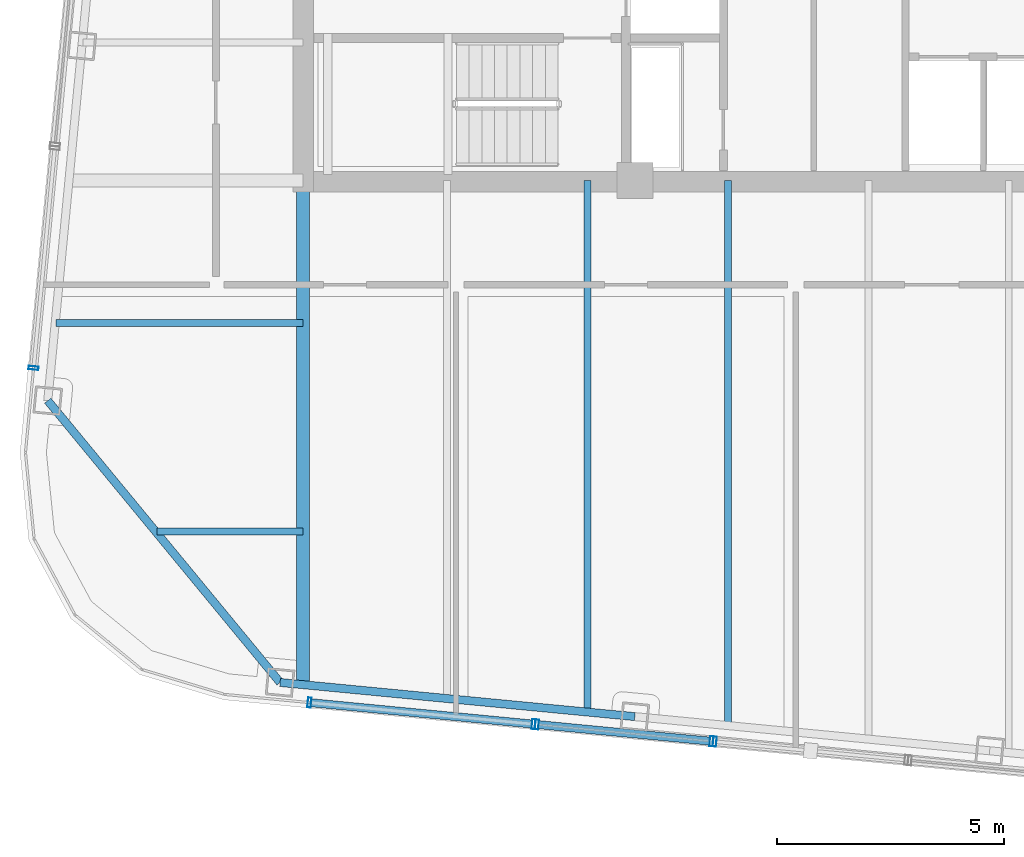
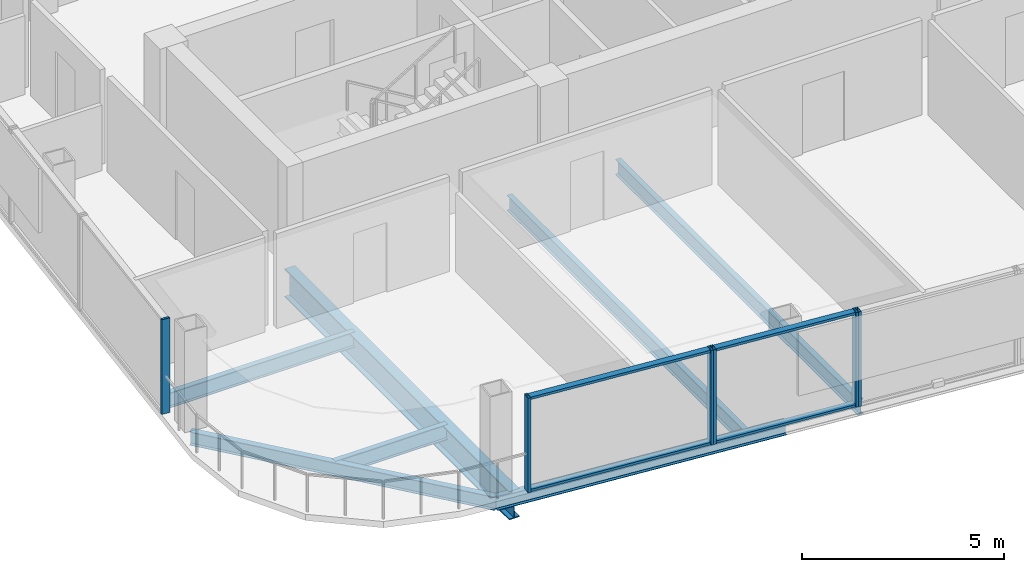
# One storey, part 2 of 23: 10 members, 7 beams, 4 elements without a shape of their own.
"""IFC4 building model written with IfcOpenShell, lengths in metres."""

import ifcopenshell
import ifcopenshell.guid

model = None  # the IFC model being written
_history = None  # IfcOwnerHistory: only IFC2X3 demands one
_inside = {}  # id of a spatial element -> (the spatial element, [elements in it])
_under = {}  # id of a project, library or spatial element -> (it, [spatial elements below it])
_declared = {}  # id of a project -> (the project, [libraries it declares])
_typed = {}  # id of a type object -> (the type object, [elements of that type])
_made_of = {}  # id of a material, layer set ... -> (it, [elements and type objects made of it])


def new_model(schema):
    """Start an empty IFC model of exactly this schema.

    Asked for "IFC4X3", IfcOpenShell would pick the latest addendum, in which some entities
    have other attributes; the version numbers below select the first issue.
    IFC2X3 requires an IfcOwnerHistory on every rooted entity: one is made here for all.
    """
    global model, _history
    if schema == "IFC4X3":
        model = ifcopenshell.file(schema_version=(4, 3, 0, 0))
    else:
        model = ifcopenshell.file(schema=schema)
    _inside.clear()
    _under.clear()
    _declared.clear()
    _typed.clear()
    _made_of.clear()
    _history = None
    if model.schema == "IFC2X3":
        org = make("IfcOrganization", Name="unknown")
        user = make(
            "IfcPersonAndOrganization",
            ThePerson=make("IfcPerson", FamilyName="unknown"),
            TheOrganization=org,
        )
        app = make(
            "IfcApplication",
            ApplicationDeveloper=org,
            Version="unknown",
            ApplicationFullName="unknown",
            ApplicationIdentifier="unknown",
        )
        _history = make(
            "IfcOwnerHistory",
            OwningUser=user,
            OwningApplication=app,
            ChangeAction="ADDED",
            CreationDate=0,
        )
    return model


def make(cls, **values):
    """One entity of the class cls with the attributes given. An attribute that is None is left unset."""
    return model.create_entity(
        cls, **{name: value for name, value in values.items() if value is not None}
    )


def rooted(cls, **values):
    """An entity with a GlobalId (a new one), such as an element, a storey or a relation."""
    return make(cls, GlobalId=ifcopenshell.guid.new(), OwnerHistory=_history, **values)


def si_unit(unit_type, name, prefix=None):
    """IfcSIUnit, for example si_unit("LENGTHUNIT", "METRE", prefix="MILLI")."""
    return make("IfcSIUnit", UnitType=unit_type, Prefix=prefix, Name=name)


def assignment(units):
    """IfcUnitAssignment: the units of a project."""
    return None if units is None else make("IfcUnitAssignment", Units=units)


def point(xyz):
    """IfcCartesianPoint."""
    return None if xyz is None else make("IfcCartesianPoint", Coordinates=xyz)


def direction(xyz):
    """IfcDirection."""
    return None if xyz is None else make("IfcDirection", DirectionRatios=xyz)


def frame(location, z_axis=None, x_axis=None):
    """IfcAxis2Placement3D, a coordinate frame: its origin and axes. An axis left out is left unset."""
    return make(
        "IfcAxis2Placement3D",
        Location=point(location),
        Axis=direction(z_axis),
        RefDirection=direction(x_axis),
    )


def frame_2d(location, x_axis=None):
    """IfcAxis2Placement2D, a coordinate frame in the plane: its origin and x axis."""
    return make(
        "IfcAxis2Placement2D", Location=point(location), RefDirection=direction(x_axis)
    )


def origin():
    """The frame at (0, 0, 0) with its axes left unset."""
    return frame((0.0, 0.0, 0.0))


def origin_2d():
    """The frame at (0, 0) in the plane with its x axis left unset."""
    return frame_2d((0.0, 0.0))


def place(relative_to, where):
    """IfcLocalPlacement: puts the frame where relative to a parent placement (None: the world)."""
    return make(
        "IfcLocalPlacement", PlacementRelTo=relative_to, RelativePlacement=where
    )


def context(
    kind, dimensions, precision=None, world=None, true_north=None, identifier=None
):
    """IfcGeometricRepresentationContext, for example the 3D "Model" context."""
    return make(
        "IfcGeometricRepresentationContext",
        ContextIdentifier=identifier,
        ContextType=kind,
        CoordinateSpaceDimension=dimensions,
        Precision=precision,
        WorldCoordinateSystem=world,
        TrueNorth=true_north,
    )


def subcontext(parent, identifier, kind, view, scale=None):
    """IfcGeometricRepresentationSubContext, for example "Body" below "Model"."""
    return make(
        "IfcGeometricRepresentationSubContext",
        ContextIdentifier=identifier,
        ContextType=kind,
        ParentContext=parent,
        TargetScale=scale,
        TargetView=view,
    )


def project(units=None, contexts=None):
    """IfcProject with its units and contexts."""
    return rooted(
        "IfcProject",
        Name="project",
        RepresentationContexts=contexts,
        UnitsInContext=assignment(units),
    )


def spatial(cls, under=None, at=None, **own):
    """A site, building, storey or space (cls), placed at a placement, below another one or the project."""
    s = rooted(cls, ObjectPlacement=at, **own)
    if under is not None:
        _under.setdefault(under.id(), (under, []))[1].append(s)
    return s


def profile(cls, at=None, kind="AREA", **sizes):
    """A parametric profile (cls). Its sizes go by their IFC names, for example OverallWidth=200.0."""
    return make(cls, ProfileType=kind, Position=at, **sizes)


def hollow_rectangle(**sizes):
    """IfcRectangleHollowProfileDef."""
    return profile("IfcRectangleHollowProfileDef", **sizes)


def i_section(**sizes):
    """IfcIShapeProfileDef."""
    return profile("IfcIShapeProfileDef", **sizes)


def extrude(swept, where, along, depth):
    """IfcExtrudedAreaSolid: the profile swept, set in the frame where, extruded along a direction by depth."""
    return make(
        "IfcExtrudedAreaSolid",
        SweptArea=swept,
        Position=where,
        ExtrudedDirection=direction(along),
        Depth=depth,
    )


def shape(context_of_items, identifier, shape_type, items):
    """IfcShapeRepresentation: the items that make up one representation, for example the "Body"."""
    return make(
        "IfcShapeRepresentation",
        ContextOfItems=context_of_items,
        RepresentationIdentifier=identifier,
        RepresentationType=shape_type,
        Items=items,
    )


def material(Name=None, Category=None):
    """IfcMaterial."""
    return make("IfcMaterial", Name=Name, Category=Category)


def layer(
    of_material, thickness, ventilated=None, Name=None, Category=None, Priority=None
):
    """IfcMaterialLayer: one layer of a wall or slab, of a material (None: an air gap)."""
    return make(
        "IfcMaterialLayer",
        Material=of_material,
        LayerThickness=thickness,
        IsVentilated=ventilated,
        Name=Name,
        Category=Category,
        Priority=Priority,
    )


def layer_set(layers, Name=None):
    """IfcMaterialLayerSet."""
    return make("IfcMaterialLayerSet", MaterialLayers=layers, LayerSetName=Name)


def material_profile(
    of_material, cross_section, Name=None, Category=None, Priority=None
):
    """IfcMaterialProfile: a cross section and its material."""
    return make(
        "IfcMaterialProfile",
        Name=Name,
        Material=of_material,
        Profile=cross_section,
        Priority=Priority,
        Category=Category,
    )


def profile_set(profiles, Name=None, composite=None):
    """IfcMaterialProfileSet."""
    return make(
        "IfcMaterialProfileSet",
        Name=Name,
        MaterialProfiles=profiles,
        CompositeProfile=composite,
    )


def made_of(thing, what):
    """Note that an element or type object is made of a material, layer set ...; save() writes the relation."""
    if what is not None:
        _made_of.setdefault(what.id(), (what, []))[1].append(thing)
    return thing


def type_object(cls, material=None, **own):
    """A type object (cls), such as IfcWallType, which elements share."""
    return made_of(rooted(cls, **own), material)


def element(
    cls,
    number,
    at=None,
    inside=None,
    cuts=None,
    type_object=None,
    material=None,
    context=None,
    identifier="Body",
    shape_type=None,
    held_by="IfcProductDefinitionShape",
    body=None,
    shapes=None,
    **own,
):
    """One element of the class cls, such as IfcWall. Its Tag is "e" and its number.

    at: its placement. inside: the storey or other place that contains it. cuts: it is an
    opening in that element (IfcRelVoidsElement). A single representation is given by context,
    identifier, shape_type and body (its items); several are given by shapes. held_by: the class
    of the entity that holds the representations. save() writes the other relations.
    """
    e = rooted(cls, Tag="e%d" % number, ObjectPlacement=at, **own)
    if body is not None:
        shapes = [shape(context, identifier, shape_type, body)]
    if shapes is not None:
        e.Representation = make(held_by, Representations=shapes)
    if inside is not None:
        _inside.setdefault(inside.id(), (inside, []))[1].append(e)
    if cuts is not None:
        rooted(
            "IfcRelVoidsElement", RelatingBuildingElement=cuts, RelatedOpeningElement=e
        )
    if type_object is not None:
        _typed.setdefault(type_object.id(), (type_object, []))[1].append(e)
    return made_of(e, material)


def aggregate(whole, parts):
    """IfcRelAggregates: a whole, such as a stair, and the parts it consists of."""
    return rooted("IfcRelAggregates", RelatingObject=whole, RelatedObjects=parts)


def save(model, path):
    """Write the relations noted so far, then the file.

    IfcRelAggregates (storeys below a building ...), IfcRelContainedInSpatialStructure (elements
    in a storey), IfcRelDefinesByType, IfcRelAssociatesMaterial and IfcRelDeclares: one each for
    every whole, place, type object, material and project.
    """
    for whole, parts in _under.values():
        aggregate(whole, parts)
    for where, things in _inside.values():
        rooted(
            "IfcRelContainedInSpatialStructure",
            RelatedElements=things,
            RelatingStructure=where,
        )
    for kind, things in _typed.values():
        rooted("IfcRelDefinesByType", RelatedObjects=things, RelatingType=kind)
    for what, things in _made_of.values():
        rooted("IfcRelAssociatesMaterial", RelatedObjects=things, RelatingMaterial=what)
    for by, libraries in _declared.values():
        rooted("IfcRelDeclares", RelatingContext=by, RelatedDefinitions=libraries)
    model.write(path)


model = new_model("IFC4")

# Units and contexts
model_context = context("Model", 3, precision=1e-05, world=origin(), true_north=direction((0.0, 1.0)))
body_context = subcontext(model_context, "Body", "Model", "MODEL_VIEW")
ifc_project = project(units=[si_unit("LENGTHUNIT", "METRE"), si_unit("AREAUNIT", "SQUARE_METRE"), si_unit("VOLUMEUNIT", "CUBIC_METRE"), si_unit("PLANEANGLEUNIT", "RADIAN"), si_unit("MASSUNIT", "GRAM", prefix="KILO")], contexts=[model_context])

# Site, building, storey
site_placement = place(None, origin())
site = spatial("IfcSite", under=ifc_project, at=site_placement, CompositionType="ELEMENT")
building_placement = place(site_placement, origin())
building = spatial("IfcBuilding", under=site, at=building_placement, Name="Qhalaya Broadcast Tower", CompositionType="ELEMENT")
storey_placement = place(building_placement, frame((0.0, 0.0, 264.199951171875)))
storey = spatial("IfcBuildingStorey", under=building, at=storey_placement, Name="L78", CompositionType="ELEMENT", Elevation=264.199951171875)

# Beams
ifc_material_1 = material(Name="Structural Steel ASTM A992 Grade 50", Category="steel")
ifc_material_profile_1 = material_profile(ifc_material_1, i_section(OverallWidth=0.154052734375, OverallDepth=0.458984375, WebThickness=0.009033203125, FlangeThickness=0.015380859375, at=origin_2d()), Name="W18X46")
ifc_profile_set_1 = profile_set([ifc_material_profile_1], Name="Structural Steel ASTM A992 Grade 50")
beam_type_1 = type_object("IfcBeamType", Name="Composite Floor Joist J04", PredefinedType="JOIST", material=ifc_profile_set_1)
beam_1_placement = place(storey_placement, frame((-3.10009765625, -20.46142578125, -0.41943359375), z_axis=(0.0, 1.0, 0.0), x_axis=(-1.0, 0.0, 0.0)))
element("IfcBeam", 1, at=beam_1_placement, inside=storey, type_object=beam_type_1, Name="L78 J04 L78-JNS2-1", PredefinedType="JOIST", context=body_context, shape_type="SweptSolid", body=[
    extrude(i_section(OverallWidth=0.154052734375, OverallDepth=0.458984375, WebThickness=0.009033203125, FlangeThickness=0.015380859375, at=origin_2d()), origin(), (0.0, 0.0, 1.0), 11.71142578125),
])
beam_2_placement = place(storey_placement, frame((0.0, -20.760009765625, -0.41943359375), z_axis=(0.0, 1.0, 0.0), x_axis=(-1.0, 0.0, 0.0)))
element("IfcBeam", 2, at=beam_2_placement, inside=storey, type_object=beam_type_1, Name="L78 J04 L78-JNS3-1", PredefinedType="JOIST", context=body_context, shape_type="SweptSolid", body=[
    extrude(i_section(OverallWidth=0.154052734375, OverallDepth=0.458984375, WebThickness=0.009033203125, FlangeThickness=0.015380859375, at=origin_2d()), origin(), (0.0, 0.0, 1.0), 12.010009765625),
])
beam_3_placement = place(storey_placement, frame((-12.600830078125, -16.5, -0.41943359375), z_axis=(1.0, 0.0, 0.0), x_axis=(0.0, 1.0, 0.0)))
element("IfcBeam", 3, at=beam_3_placement, inside=storey, type_object=beam_type_1, Name="L78 J04 L78-JWE1W-1", PredefinedType="JOIST", context=body_context, shape_type="SweptSolid", body=[
    extrude(i_section(OverallWidth=0.154052734375, OverallDepth=0.458984375, WebThickness=0.009033203125, FlangeThickness=0.015380859375, at=origin_2d()), origin(), (0.0, 0.0, 1.0), 3.225830078125),
])
beam_4_placement = place(storey_placement, frame((-14.82568359375, -11.89990234375, -0.41943359375), z_axis=(1.0, 0.0, 0.0), x_axis=(0.0, 1.0, 0.0)))
element("IfcBeam", 4, at=beam_4_placement, inside=storey, type_object=beam_type_1, Name="L78 J04 L78-JWE2W-1", PredefinedType="JOIST", context=body_context, shape_type="SweptSolid", body=[
    extrude(i_section(OverallWidth=0.154052734375, OverallDepth=0.458984375, WebThickness=0.009033203125, FlangeThickness=0.015380859375, at=origin_2d()), origin(), (0.0, 0.0, 1.0), 5.45068359375),
])

# Curtain wall, members
ifc_material_2 = material(Name="Fired Architectural Terracotta", Category="masonry")
ifc_layer_1 = layer(ifc_material_2, 0.219970703125, Name="Fired Architectural Terracotta")
ifc_layer_set_1 = layer_set([ifc_layer_1], Name="Fired Architectural Terracotta")
curtain_wall_type_1 = type_object("IfcCurtainWallType", Name="Block-Cap Unitised Terracotta Spandrel Wall CW-07", PredefinedType="NOTDEFINED", material=ifc_layer_set_1)
curtain_wall_1_placement = place(storey_placement, origin())
curtain_wall_1 = element("IfcCurtainWall", 5, at=curtain_wall_1_placement, inside=storey, type_object=curtain_wall_type_1, Name="L78 Unitised Curtain Wall L78-CW-S1", PredefinedType="NOTDEFINED")
ifc_material_3 = material(Name="Anodised Aluminium 6063-T6", Category="aluminium")
ifc_material_profile_2 = material_profile(ifc_material_3, hollow_rectangle(XDim=0.074951171875, YDim=0.219970703125, WallThickness=0.00390625, at=origin_2d()), Name="ALU-MUL 75x220x4")
ifc_profile_set_2 = profile_set([ifc_material_profile_2], Name="Anodised Aluminium 6063-T6")
member_type_1 = type_object("IfcMemberType", Name="Unitised Curtain-Wall Mullion M01", PredefinedType="MULLION", material=ifc_profile_set_2)
member_1_placement = place(storey_placement, frame((-9.235107421875, -20.272705078125, 0.0), z_axis=(0.0, 0.0, 1.0), x_axis=(0.995395145786, -0.09585668336, 0.0)))
member_1 = element("IfcMember", 6, at=member_1_placement, type_object=member_type_1, Name="CW-07 mullion 1", PredefinedType="MULLION", context=body_context, shape_type="SweptSolid", body=[
    extrude(hollow_rectangle(XDim=0.074951171875, YDim=0.219970703125, WallThickness=0.00390625, at=origin_2d()), origin(), (0.0, 0.0, 1.0), 2.860107421875),
])
member_2_placement = place(storey_placement, frame((-4.287841796875, -20.7490234375, 0.0), z_axis=(0.0, 0.0, 1.0), x_axis=(0.995395145786, -0.09585668336, 0.0)))
member_2 = element("IfcMember", 7, at=member_2_placement, type_object=member_type_1, Name="CW-07 mullion 2", PredefinedType="MULLION", context=body_context, shape_type="SweptSolid", body=[
    extrude(hollow_rectangle(XDim=0.074951171875, YDim=0.219970703125, WallThickness=0.00390625, at=origin_2d()), origin(), (0.0, 0.0, 1.0), 2.860107421875),
])

ifc_material_4 = material(Name="Solar-Control Low-E Triple Glazing", Category="glass")
ifc_layer_2 = layer(ifc_material_4, 0.219970703125, Name="Solar-Control Low-E Triple Glazing")
ifc_layer_set_2 = layer_set([ifc_layer_2], Name="Solar-Control Low-E Triple Glazing")
curtain_wall_type_2 = type_object("IfcCurtainWallType", Name="High-Altitude Upper-Shaft Triple Low-E Curtain Wall CW-04", PredefinedType="NOTDEFINED", material=ifc_layer_set_2)
curtain_wall_2_placement = place(storey_placement, origin())
curtain_wall_2 = element("IfcCurtainWall", 8, at=curtain_wall_2_placement, inside=storey, type_object=curtain_wall_type_2, Name="L78 Unitised Curtain Wall L78-CW-S2", PredefinedType="NOTDEFINED")
member_3_placement = place(storey_placement, frame((-4.21337890625, -20.756103515625, 0.0), z_axis=(0.0, 0.0, 1.0), x_axis=(0.995396567507, -0.09584191878, 0.0)))
member_3 = element("IfcMember", 9, at=member_3_placement, type_object=member_type_1, Name="CW-04 mullion 1", PredefinedType="MULLION", context=body_context, shape_type="SweptSolid", body=[
    extrude(hollow_rectangle(XDim=0.074951171875, YDim=0.219970703125, WallThickness=0.00390625, at=origin_2d()), origin(), (0.0, 0.0, 1.0), 2.860107421875),
])
member_4_placement = place(storey_placement, frame((-0.363037109375, -21.126953125, 0.0), z_axis=(0.0, 0.0, 1.0), x_axis=(0.995396567507, -0.09584191878, 0.0)))
member_4 = element("IfcMember", 10, at=member_4_placement, type_object=member_type_1, Name="CW-04 mullion 2", PredefinedType="MULLION", context=body_context, shape_type="SweptSolid", body=[
    extrude(hollow_rectangle(XDim=0.074951171875, YDim=0.219970703125, WallThickness=0.00390625, at=origin_2d()), origin(), (0.0, 0.0, 1.0), 2.860107421875),
])

# Curtain wall, member
curtain_wall_3_placement = place(storey_placement, origin())
curtain_wall_3 = element("IfcCurtainWall", 11, at=curtain_wall_3_placement, inside=storey, type_object=curtain_wall_type_1, Name="L78 Unitised Curtain Wall L78-CW-S3", PredefinedType="NOTDEFINED")
member_5_placement = place(storey_placement, frame((-0.28857421875, -21.134033203125, 0.0), z_axis=(0.0, 0.0, 1.0), x_axis=(0.995397029971, -0.095837115594, 0.0)))
member_5 = element("IfcMember", 12, at=member_5_placement, type_object=member_type_1, Name="CW-07 mullion 1", PredefinedType="MULLION", context=body_context, shape_type="SweptSolid", body=[
    extrude(hollow_rectangle(XDim=0.074951171875, YDim=0.219970703125, WallThickness=0.00390625, at=origin_2d()), origin(), (0.0, 0.0, 1.0), 2.860107421875),
])
aggregate(curtain_wall_3, [member_5])

curtain_wall_4_placement = place(storey_placement, origin())
curtain_wall_4 = element("IfcCurtainWall", 13, at=curtain_wall_4_placement, inside=storey, type_object=curtain_wall_type_1, Name="L78 Unitised Curtain Wall L78-CW-W5", PredefinedType="NOTDEFINED")
member_6_placement = place(storey_placement, frame((-15.32275390625, -12.887451171875, 0.0), z_axis=(0.0, 0.0, 1.0), x_axis=(-0.095840154905, -0.99539673734, 0.0)))
member_6 = element("IfcMember", 14, at=member_6_placement, type_object=member_type_1, Name="CW-07 mullion 2", PredefinedType="MULLION", context=body_context, shape_type="SweptSolid", body=[
    extrude(hollow_rectangle(XDim=0.074951171875, YDim=0.219970703125, WallThickness=0.00390625, at=origin_2d()), origin(), (0.0, 0.0, 1.0), 2.860107421875),
])
aggregate(curtain_wall_4, [member_6])

# Member
ifc_material_profile_3 = material_profile(ifc_material_3, hollow_rectangle(XDim=0.074951171875, YDim=0.179931640625, WallThickness=0.00390625, at=origin_2d()), Name="ALU-TRN 75x180x4")
ifc_profile_set_3 = profile_set([ifc_material_profile_3], Name="Anodised Aluminium 6063-T6")
member_type_2 = type_object("IfcMemberType", Name="Unitised Curtain-Wall Transom T01", PredefinedType="USERDEFINED", material=ifc_profile_set_3)
member_7_placement = place(storey_placement, frame((-9.19775390625, -20.276123046875, 0.03759765625), z_axis=(0.995394946025, -0.095858757704, 0.0), x_axis=(0.0, 0.0, 1.0)))
member_7 = element("IfcMember", 15, at=member_7_placement, type_object=member_type_2, Name="CW-07 transom 1.1", ObjectType="TRANSOM", PredefinedType="USERDEFINED", context=body_context, shape_type="SweptSolid", body=[
    extrude(hollow_rectangle(XDim=0.074951171875, YDim=0.179931640625, WallThickness=0.00390625, at=origin_2d()), origin(), (0.0, 0.0, 1.0), 4.89501953125),
])

member_8_placement = place(storey_placement, frame((-9.19775390625, -20.276123046875, 2.822509765625), z_axis=(0.995394946025, -0.095858757704, 0.0), x_axis=(0.0, 0.0, 1.0)))
member_8 = element("IfcMember", 16, at=member_8_placement, type_object=member_type_2, Name="CW-07 transom 1.2", ObjectType="TRANSOM", PredefinedType="USERDEFINED", context=body_context, shape_type="SweptSolid", body=[
    extrude(hollow_rectangle(XDim=0.074951171875, YDim=0.179931640625, WallThickness=0.00390625, at=origin_2d()), origin(), (0.0, 0.0, 1.0), 4.89501953125),
])

aggregate(curtain_wall_1, [member_1, member_2, member_7, member_8])

member_9_placement = place(storey_placement, frame((-4.176025390625, -20.759765625, 0.03759765625), z_axis=(0.995396874616, -0.09583872915, 0.0), x_axis=(0.0, 0.0, 1.0)))
member_9 = element("IfcMember", 17, at=member_9_placement, type_object=member_type_2, Name="CW-04 transom 1.1", ObjectType="TRANSOM", PredefinedType="USERDEFINED", context=body_context, shape_type="SweptSolid", body=[
    extrude(hollow_rectangle(XDim=0.074951171875, YDim=0.179931640625, WallThickness=0.00390625, at=origin_2d()), origin(), (0.0, 0.0, 1.0), 3.793212890625),
])

member_10_placement = place(storey_placement, frame((-4.176025390625, -20.759765625, 2.822509765625), z_axis=(0.995396874616, -0.09583872915, 0.0), x_axis=(0.0, 0.0, 1.0)))
member_10 = element("IfcMember", 18, at=member_10_placement, type_object=member_type_2, Name="CW-04 transom 1.2", ObjectType="TRANSOM", PredefinedType="USERDEFINED", context=body_context, shape_type="SweptSolid", body=[
    extrude(hollow_rectangle(XDim=0.074951171875, YDim=0.179931640625, WallThickness=0.00390625, at=origin_2d()), origin(), (0.0, 0.0, 1.0), 3.793212890625),
])

aggregate(curtain_wall_2, [member_3, member_4, member_9, member_10])

# Beams
ifc_material_profile_4 = material_profile(ifc_material_1, i_section(OverallWidth=0.2919921875, OverallDepth=0.85888671875, WebThickness=0.01708984375, FlangeThickness=0.031005859375, at=origin_2d()), Name="W33X169")
ifc_profile_set_4 = profile_set([ifc_material_profile_4], Name="Structural Steel ASTM A992 Grade 50")
beam_type_2 = type_object("IfcBeamType", Name="Upper Block Primary Girder PG4", PredefinedType="USERDEFINED", material=ifc_profile_set_4)
beam_5_placement = place(storey_placement, frame((-9.375, -19.857421875, -0.619384765625), z_axis=(0.0, 1.0, 0.0), x_axis=(-1.0, 0.0, 0.0)))
element("IfcBeam", 19, at=beam_5_placement, inside=storey, type_object=beam_type_2, Name="L78 PG4 L78-PGXS1-1", ObjectType="GIRDER", PredefinedType="USERDEFINED", context=body_context, shape_type="SweptSolid", body=[
    extrude(i_section(OverallWidth=0.2919921875, OverallDepth=0.85888671875, WebThickness=0.01708984375, FlangeThickness=0.031005859375, at=origin_2d()), origin(), (0.0, 0.0, 1.0), 11.107421875),
])
ifc_material_profile_5 = material_profile(ifc_material_1, i_section(OverallWidth=0.177978515625, OverallDepth=0.406005859375, WebThickness=0.0078125, FlangeThickness=0.0126953125, at=origin_2d()), Name="W16X40")
ifc_profile_set_5 = profile_set([ifc_material_profile_5], Name="Structural Steel ASTM A992 Grade 50")
beam_type_3 = type_object("IfcBeamType", Name="Upper Perimeter Spandrel Beam SP2", PredefinedType="SPANDREL", material=ifc_profile_set_5)
beam_6_placement = place(storey_placement, frame((-9.883056640625, -19.82861328125, -0.39306640625), z_axis=(0.995397308407, -0.095834223619, 0.0), x_axis=(0.095834223619, 0.995397308407, 0.0)))
element("IfcBeam", 20, at=beam_6_placement, inside=storey, type_object=beam_type_3, Name="L78 SP2 L78-SPR-01", PredefinedType="SPANDREL", context=body_context, shape_type="SweptSolid", body=[
    extrude(i_section(OverallWidth=0.177978515625, OverallDepth=0.406005859375, WebThickness=0.0078125, FlangeThickness=0.0126953125, at=origin_2d()), origin(), (0.0, 0.0, 1.0), 7.86669921875),
])
beam_7_placement = place(storey_placement, frame((-15.010498046875, -13.6083984375, -0.39306640625), z_axis=(0.636070241972, -0.771631160126, 0.0), x_axis=(0.771631160126, 0.636070241972, 0.0)))
element("IfcBeam", 21, at=beam_7_placement, inside=storey, type_object=beam_type_3, Name="L78 SP2 L78-SPR-16", PredefinedType="SPANDREL", context=body_context, shape_type="SweptSolid", body=[
    extrude(i_section(OverallWidth=0.177978515625, OverallDepth=0.406005859375, WebThickness=0.0078125, FlangeThickness=0.0126953125, at=origin_2d()), origin(), (0.0, 0.0, 1.0), 8.06103515625),
])

save(model, "model.ifc")
